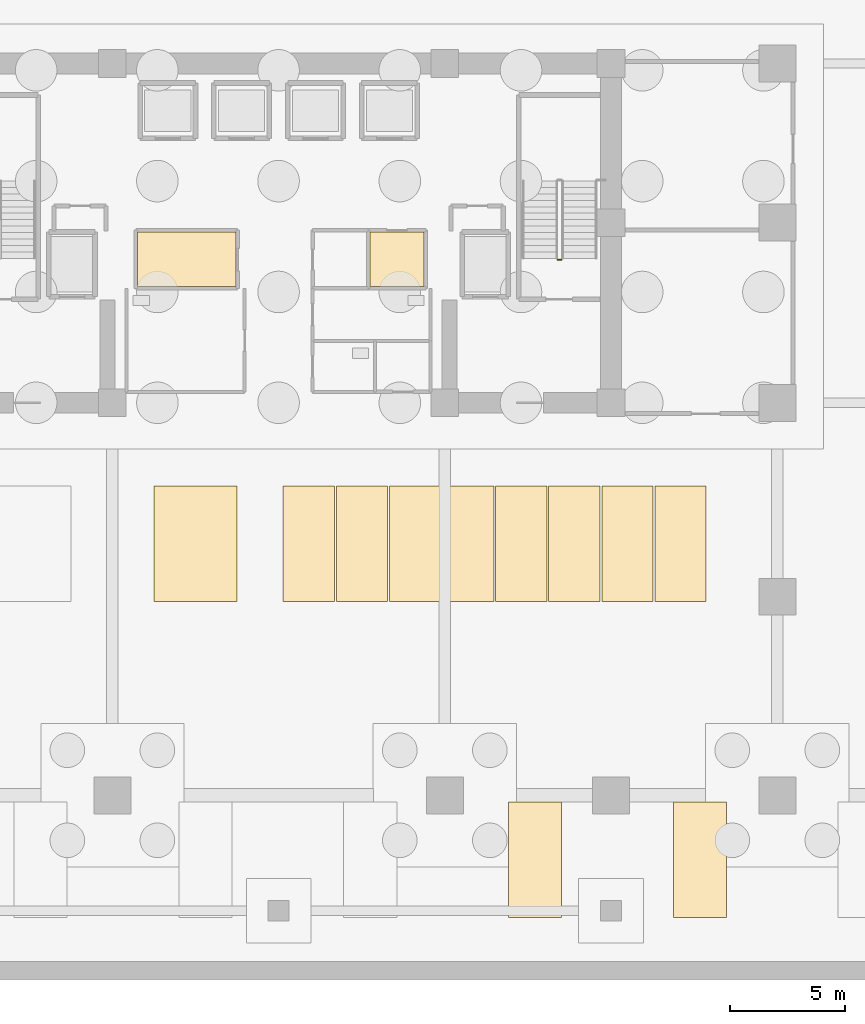
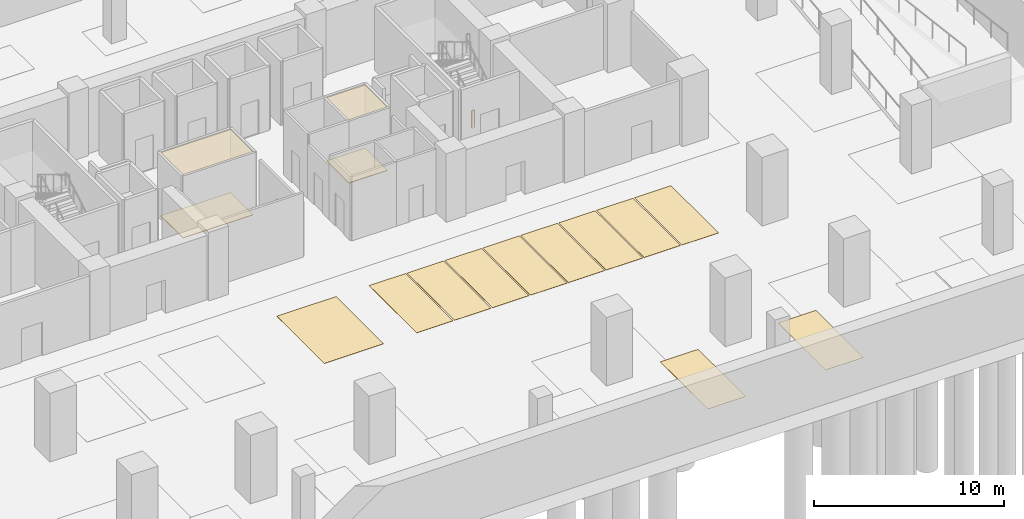
# One storey, part 9 of 13: 15 coverings, 1 railing.
"""IFC4 building model written with IfcOpenShell, lengths in metres."""

from ifc_helpers import new_model, si_unit, direction, frame, origin, origin_2d, place, context, subcontext, project, spatial, polyline, rectangle, outline, extrude, material, layer, layer_set, type_object, element, save


model = new_model("IFC4")

# Units and contexts
model_context = context("Model", 3, precision=1e-05, world=origin(), true_north=direction((0.0, 1.0)))
body_context = subcontext(model_context, "Body", "Model", "MODEL_VIEW")
ifc_project = project(units=[si_unit("LENGTHUNIT", "METRE"), si_unit("AREAUNIT", "SQUARE_METRE"), si_unit("VOLUMEUNIT", "CUBIC_METRE"), si_unit("PLANEANGLEUNIT", "RADIAN"), si_unit("MASSUNIT", "GRAM", prefix="KILO")], contexts=[model_context])

# Site, building, storey
site_placement = place(None, origin())
site = spatial("IfcSite", under=ifc_project, at=site_placement, CompositionType="ELEMENT")
building_placement = place(site_placement, origin())
building = spatial("IfcBuilding", under=site, at=building_placement, Name="Zarnakvel Exchange Tower", CompositionType="ELEMENT")
storey_placement = place(building_placement, frame((0.0, 0.0, -13.199951171875)))
storey = spatial("IfcBuildingStorey", under=building, at=storey_placement, Name="B03", CompositionType="ELEMENT", Elevation=-13.199951171875)

# Coverings
ifc_material_1 = material(Name="Perforated Bronze Acoustic Metal Ceiling", Category="aluminium")
ifc_layer_1 = layer(ifc_material_1, 0.02001953125)
ifc_layer_set_1 = layer_set([ifc_layer_1], Name="Perforated Bronze Acoustic Metal Ceiling")
covering_type_1 = type_object("IfcCoveringType", Name="CLG-01", PredefinedType="CEILING", material=ifc_layer_set_1)
covering_1_placement = place(storey_placement, frame((0.0, 0.0, 4.06005859375)))
element("IfcCovering", 1, at=covering_1_placement, inside=storey, type_object=covering_type_1, Name="B03 Suspended Acoustic Ceiling (Regulatory Archive Office)", PredefinedType="CEILING", context=body_context, shape_type="SweptSolid", body=[
    extrude(outline(polyline([(-6.10009765625, 6.199951171875), (-1.85009765625, 6.199951171875), (-1.85009765625, 3.840087890625), (-6.10009765625, 3.840087890625), (-6.10009765625, 6.199951171875)])), origin(), (0.0, 0.0, 1.0), 0.019775390625),
])
covering_2_placement = place(storey_placement, frame((0.0, 0.0, 4.06005859375)))
element("IfcCovering", 2, at=covering_2_placement, inside=storey, type_object=covering_type_1, Name="B03 Suspended Acoustic Ceiling (Data Copy Room)", PredefinedType="CEILING", context=body_context, shape_type="SweptSolid", body=[
    extrude(outline(polyline([(3.9599609375, 6.199951171875), (6.300048828125, 6.199951171875), (6.300048828125, 3.840087890625), (3.9599609375, 3.840087890625), (3.9599609375, 6.199951171875)])), origin(), (0.0, 0.0, 1.0), 0.019775390625),
])
ifc_material_2 = material(Name="Heavy-Duty Raised Access Floor Panel", Category="steel")
ifc_layer_2 = layer(ifc_material_2, 0.034912109375)
ifc_layer_set_2 = layer_set([ifc_layer_2], Name="Heavy-Duty Raised Access Floor Panel")
covering_type_2 = type_object("IfcCoveringType", Name="FLR-02", PredefinedType="FLOORING", material=ifc_layer_set_2)
covering_3_placement = place(storey_placement, origin())
element("IfcCovering", 3, at=covering_3_placement, inside=storey, type_object=covering_type_2, Name="B03 Floor Finish (Regulatory Archive Office)", PredefinedType="FLOORING", context=body_context, shape_type="SweptSolid", body=[
    extrude(outline(polyline([(-6.10009765625, 6.199951171875), (-1.85009765625, 6.199951171875), (-1.85009765625, 3.840087890625), (-6.10009765625, 3.840087890625), (-6.10009765625, 6.199951171875)])), origin(), (0.0, 0.0, 1.0), 0.034912109375),
])
covering_4_placement = place(storey_placement, origin())
element("IfcCovering", 4, at=covering_4_placement, inside=storey, type_object=covering_type_2, Name="B03 Floor Finish (Data Copy Room)", PredefinedType="FLOORING", context=body_context, shape_type="SweptSolid", body=[
    extrude(outline(polyline([(3.9599609375, 6.199951171875), (6.300048828125, 6.199951171875), (6.300048828125, 3.840087890625), (3.9599609375, 3.840087890625), (3.9599609375, 6.199951171875)])), origin(), (0.0, 0.0, 1.0), 0.034912109375),
])
ifc_material_3 = material(Name="Thermoplastic Acrylic Bay Marking", Category="finish")
ifc_layer_3 = layer(ifc_material_3, 0.010009765625)
ifc_layer_set_3 = layer_set([ifc_layer_3], Name="Thermoplastic Acrylic Bay Marking")
covering_type_3 = type_object("IfcCoveringType", Name="MK-01", PredefinedType="FLOORING", material=ifc_layer_set_3)
covering_5_placement = place(storey_placement, origin())
element("IfcCovering", 5, at=covering_5_placement, inside=storey, type_object=covering_type_3, Name="B03 Standard Parking Bay Marking B03-10", PredefinedType="FLOORING", context=body_context, shape_type="SweptSolid", body=[
    extrude(outline(polyline([(9.9599609375, -23.5), (12.260009765625, -23.5), (12.260009765625, -18.5), (9.9599609375, -18.5), (9.9599609375, -23.5)])), origin(), (0.0, 0.0, 1.0), 0.010009765625),
])
covering_6_placement = place(storey_placement, origin())
element("IfcCovering", 6, at=covering_6_placement, inside=storey, type_object=covering_type_3, Name="B03 Standard Parking Bay Marking B03-11", PredefinedType="FLOORING", context=body_context, shape_type="SweptSolid", body=[
    extrude(outline(polyline([(17.10009765625, -23.5), (19.39990234375, -23.5), (19.39990234375, -18.5), (17.10009765625, -18.5), (17.10009765625, -23.5)])), origin(), (0.0, 0.0, 1.0), 0.010009765625),
])
covering_7_placement = place(storey_placement, origin())
element("IfcCovering", 7, at=covering_7_placement, inside=storey, type_object=covering_type_3, Name="B03 Standard Parking Bay Marking B03-15", PredefinedType="FLOORING", context=body_context, shape_type="SweptSolid", body=[
    extrude(outline(polyline([(0.199951171875, -9.800048828125), (2.419921875, -9.800048828125), (2.419921875, -4.800048828125), (0.199951171875, -4.800048828125), (0.199951171875, -9.800048828125)])), origin(), (0.0, 0.0, 1.0), 0.010009765625),
])
covering_8_placement = place(storey_placement, origin())
element("IfcCovering", 8, at=covering_8_placement, inside=storey, type_object=covering_type_3, Name="B03 Standard Parking Bay Marking B03-16", PredefinedType="FLOORING", context=body_context, shape_type="SweptSolid", body=[
    extrude(outline(polyline([(2.5, -9.800048828125), (4.719970703125, -9.800048828125), (4.719970703125, -4.800048828125), (2.5, -4.800048828125), (2.5, -9.800048828125)])), origin(), (0.0, 0.0, 1.0), 0.010009765625),
])
covering_9_placement = place(storey_placement, origin())
element("IfcCovering", 9, at=covering_9_placement, inside=storey, type_object=covering_type_3, Name="B03 Standard Parking Bay Marking B03-17", PredefinedType="FLOORING", context=body_context, shape_type="SweptSolid", body=[
    extrude(outline(polyline([(4.800048828125, -9.800048828125), (7.02001953125, -9.800048828125), (7.02001953125, -4.800048828125), (4.800048828125, -4.800048828125), (4.800048828125, -9.800048828125)])), origin(), (0.0, 0.0, 1.0), 0.010009765625),
])
covering_10_placement = place(storey_placement, origin())
element("IfcCovering", 10, at=covering_10_placement, inside=storey, type_object=covering_type_3, Name="B03 Standard Parking Bay Marking B03-18", PredefinedType="FLOORING", context=body_context, shape_type="SweptSolid", body=[
    extrude(outline(polyline([(7.10009765625, -9.800048828125), (9.320068359375, -9.800048828125), (9.320068359375, -4.800048828125), (7.10009765625, -4.800048828125), (7.10009765625, -9.800048828125)])), origin(), (0.0, 0.0, 1.0), 0.010009765625),
])
covering_11_placement = place(storey_placement, origin())
element("IfcCovering", 11, at=covering_11_placement, inside=storey, type_object=covering_type_3, Name="B03 Standard Parking Bay Marking B03-19", PredefinedType="FLOORING", context=body_context, shape_type="SweptSolid", body=[
    extrude(outline(polyline([(9.39990234375, -9.800048828125), (11.6201171875, -9.800048828125), (11.6201171875, -4.800048828125), (9.39990234375, -4.800048828125), (9.39990234375, -9.800048828125)])), origin(), (0.0, 0.0, 1.0), 0.010009765625),
])
covering_12_placement = place(storey_placement, origin())
element("IfcCovering", 12, at=covering_12_placement, inside=storey, type_object=covering_type_3, Name="B03 Standard Parking Bay Marking B03-20", PredefinedType="FLOORING", context=body_context, shape_type="SweptSolid", body=[
    extrude(outline(polyline([(11.699951171875, -9.800048828125), (13.919921875, -9.800048828125), (13.919921875, -4.800048828125), (11.699951171875, -4.800048828125), (11.699951171875, -9.800048828125)])), origin(), (0.0, 0.0, 1.0), 0.010009765625),
])
covering_13_placement = place(storey_placement, origin())
element("IfcCovering", 13, at=covering_13_placement, inside=storey, type_object=covering_type_3, Name="B03 Standard Parking Bay Marking B03-21", PredefinedType="FLOORING", context=body_context, shape_type="SweptSolid", body=[
    extrude(outline(polyline([(14.0, -9.800048828125), (16.219970703125, -9.800048828125), (16.219970703125, -4.800048828125), (14.0, -4.800048828125), (14.0, -9.800048828125)])), origin(), (0.0, 0.0, 1.0), 0.010009765625),
])
covering_14_placement = place(storey_placement, origin())
element("IfcCovering", 14, at=covering_14_placement, inside=storey, type_object=covering_type_3, Name="B03 Standard Parking Bay Marking B03-22", PredefinedType="FLOORING", context=body_context, shape_type="SweptSolid", body=[
    extrude(outline(polyline([(16.300048828125, -9.800048828125), (18.52001953125, -9.800048828125), (18.52001953125, -4.800048828125), (16.300048828125, -4.800048828125), (16.300048828125, -9.800048828125)])), origin(), (0.0, 0.0, 1.0), 0.010009765625),
])
ifc_layer_4 = layer(ifc_material_3, 0.010009765625)
ifc_layer_set_4 = layer_set([ifc_layer_4], Name="Thermoplastic Acrylic Bay Marking")
covering_type_4 = type_object("IfcCoveringType", Name="MK-02", PredefinedType="FLOORING", material=ifc_layer_set_4)
covering_15_placement = place(storey_placement, origin())
element("IfcCovering", 15, at=covering_15_placement, inside=storey, type_object=covering_type_4, Name="B03 Accessible Parking Bay Marking OKU-03", PredefinedType="FLOORING", context=body_context, shape_type="SweptSolid", body=[
    extrude(outline(polyline([(-5.39990234375, -9.800048828125), (-1.800048828125, -9.800048828125), (-1.800048828125, -4.800048828125), (-5.39990234375, -4.800048828125), (-5.39990234375, -9.800048828125)])), origin(), (0.0, 0.0, 1.0), 0.010009765625),
])

# Railing
ifc_material_4 = material(Name="Architectural Bronze Anodised Aluminium", Category="aluminium")
railing_type = type_object("IfcRailingType", Name="SG-01", PredefinedType="GUARDRAIL", material=ifc_material_4)
railing_placement = place(storey_placement, frame((12.25, 5.0, 0.0)))
element("IfcRailing", 16, at=railing_placement, inside=storey, type_object=railing_type, Name="B03 ST-02 stair guard 4", PredefinedType="GUARDRAIL", context=body_context, shape_type="SweptSolid", body=[
    extrude(rectangle(XDim=0.048095703125, YDim=0.048095703125, at=origin_2d()), frame((0.0, 0.0, 1.1259765625), z_axis=(-1.0, 0.0, 0.0), x_axis=(0.0, -1.0, 0.0)), (0.0, 0.0, 1.0), 0.159912109375),
    extrude(rectangle(XDim=0.0419921875, YDim=0.0419921875, at=origin_2d()), origin(), (0.0, 0.0, 1.0), 1.101806640625),
    extrude(rectangle(XDim=0.0419921875, YDim=0.0419921875, at=origin_2d()), frame((-0.159912109375, 0.0, 0.0)), (0.0, 0.0, 1.0), 1.101806640625),
])

save(model, "model.ifc")
